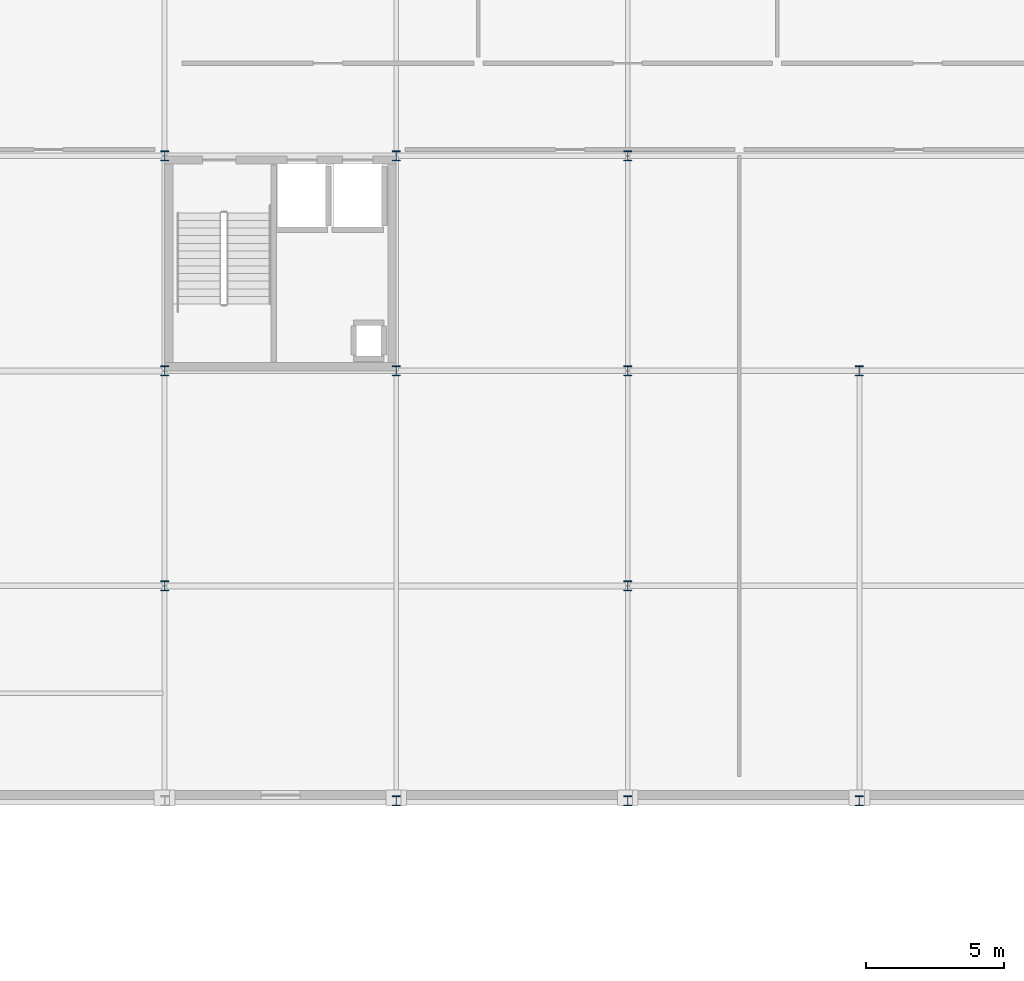
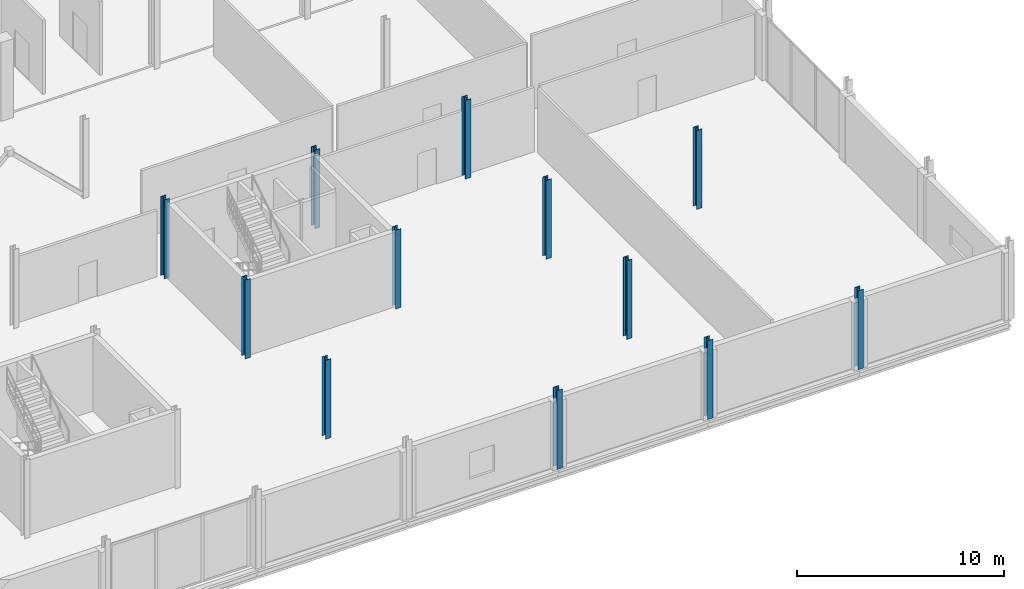
# One storey, part 11 of 98: 12 columns.
"""IFC4 building model written with IfcOpenShell, lengths in metres."""

from ifc_helpers import new_model, si_unit, direction, frame, origin, origin_2d, place, context, subcontext, project, spatial, i_section, extrude, material, material_profile, profile_set, type_object, element, save


model = new_model("IFC4")

# Units and contexts
model_context = context("Model", 3, precision=1e-05, world=origin(), true_north=direction((0.0, 1.0)))
body_context = subcontext(model_context, "Body", "Model", "MODEL_VIEW")
ifc_project = project(units=[si_unit("LENGTHUNIT", "METRE"), si_unit("AREAUNIT", "SQUARE_METRE"), si_unit("VOLUMEUNIT", "CUBIC_METRE"), si_unit("PLANEANGLEUNIT", "RADIAN"), si_unit("MASSUNIT", "GRAM", prefix="KILO")], contexts=[model_context])

# Site, building, storey
site_placement = place(None, origin())
site = spatial("IfcSite", under=ifc_project, at=site_placement, CompositionType="ELEMENT")
building_placement = place(site_placement, origin())
building = spatial("IfcBuilding", under=site, at=building_placement, Name="Nabrawat Pavilion Hospital", CompositionType="ELEMENT")
storey_placement = place(building_placement, frame((0.0, 0.0, 10.199951171875)))
storey = spatial("IfcBuildingStorey", under=building, at=storey_placement, Name="L02", CompositionType="ELEMENT", Elevation=10.199951171875)

# Columns
ifc_material = material(Name="Steel S355", Category="steel")
ifc_material_profile = material_profile(ifc_material, i_section(OverallWidth=0.300048828125, OverallDepth=0.360107421875, WebThickness=0.012451171875, FlangeThickness=0.0224609375, FilletRadius=0.027099609375, at=origin_2d()), Name="HEB 360")
ifc_profile_set = profile_set([ifc_material_profile], Name="Steel S355")
column_type = type_object("IfcColumnType", Name="Upper Steel Column HEB 360", PredefinedType="COLUMN", material=ifc_profile_set)
for number, where, z_axis, x_axis, name in (
    (1, (159.60009765625, 7.800048828125, 0.0), (0.0, 0.0, 1.0), (1.0, 0.0, 0.0), "L02 Structural Column G-20-B"),
    (2, (159.60009765625, 15.60009765625, 0.0), (0.0, 0.0, 1.0), (1.0, 0.0, 0.0), "L02 Structural Column G-20-C"),
    (3, (159.60009765625, 23.39990234375, 0.0), (0.0, 0.0, 1.0), (1.0, 0.0, 0.0), "L02 Structural Column G-20-D"),
    (4, (168.0, 0.0, 0.0), (0.0, 0.0, 1.0), (1.0, 0.0, 0.0), "L02 Structural Column G-21-A"),
    (5, (168.0, 15.60009765625, 0.0), (0.0, 0.0, 1.0), (1.0, 0.0, 0.0), "L02 Structural Column G-21-C"),
    (6, (168.0, 23.39990234375, 0.0), (0.0, 0.0, 1.0), (1.0, 0.0, 0.0), "L02 Structural Column G-21-D"),
    (7, (176.39990234375, 0.0, 0.0), (0.0, 0.0, 1.0), (1.0, 0.0, 0.0), "L02 Structural Column G-22-A"),
    (8, (176.39990234375, 7.800048828125, 0.0), (0.0, 0.0, 1.0), (1.0, 0.0, 0.0), "L02 Structural Column G-22-B"),
    (9, (176.39990234375, 15.60009765625, 0.0), (0.0, 0.0, 1.0), (1.0, 0.0, 0.0), "L02 Structural Column G-22-C"),
    (10, (176.39990234375, 23.39990234375, 0.0), (0.0, 0.0, 1.0), (1.0, 0.0, 0.0), "L02 Structural Column G-22-D"),
    (11, (184.800048828125, 0.0, 0.0), (0.0, 0.0, 1.0), (1.0, 0.0, 0.0), "L02 Structural Column G-23-A"),
    (12, (184.800048828125, 15.60009765625, 0.0), (0.0, 0.0, 1.0), (1.0, 0.0, 0.0), "L02 Structural Column G-23-C"),
):
    element("IfcColumn", number, at=place(storey_placement, frame(where, z_axis=z_axis, x_axis=x_axis)), inside=storey, type_object=column_type, Name=name, PredefinedType="COLUMN", context=body_context, shape_type="SweptSolid", body=[
        extrude(i_section(OverallWidth=0.300048828125, OverallDepth=0.360107421875, WebThickness=0.012451171875, FlangeThickness=0.0224609375, FilletRadius=0.027099609375, at=origin_2d()), origin(), (0.0, 0.0, 1.0), 4.650146484375),
    ])

save(model, "model.ifc")
